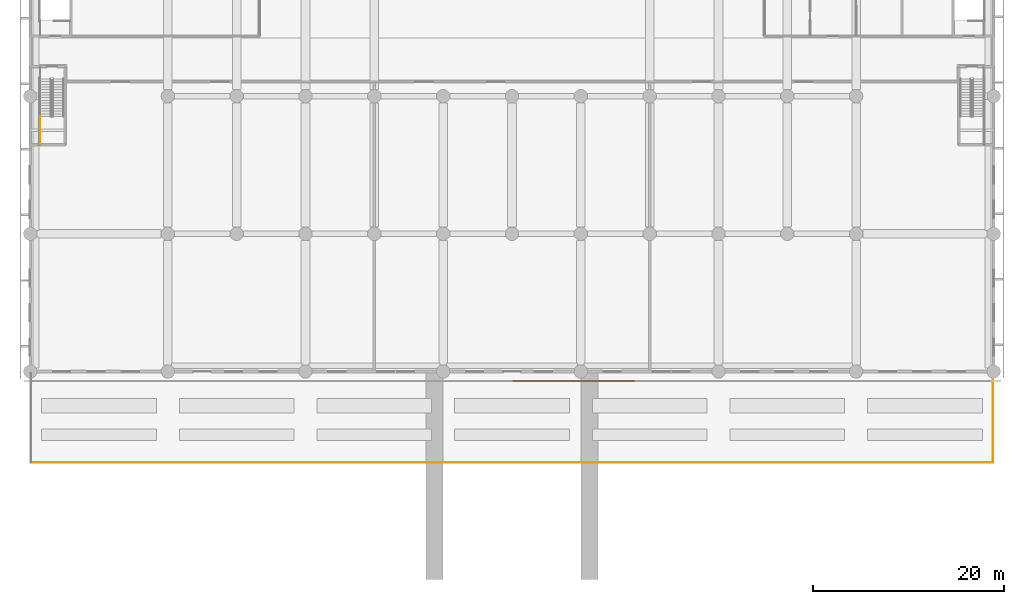
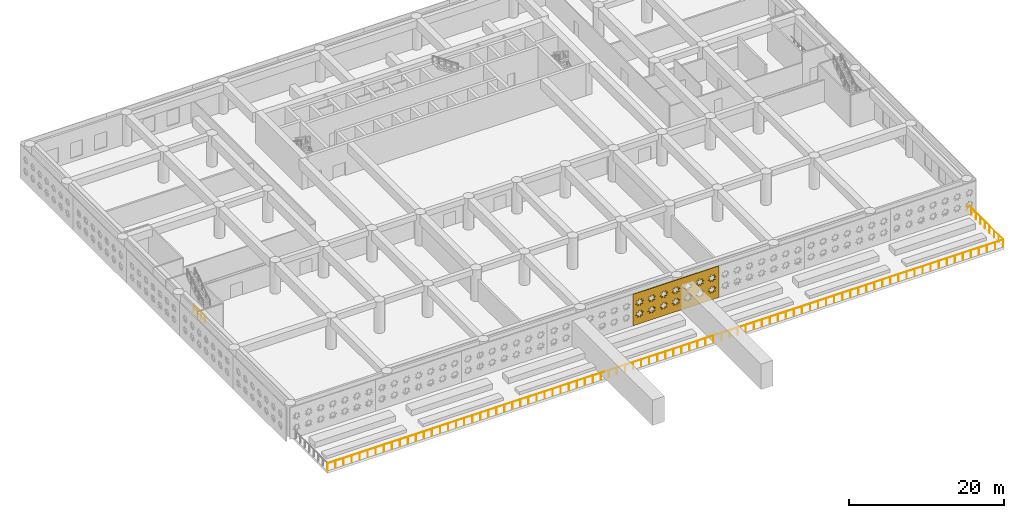
# One storey, part 13 of 24: 2 railings, 1 covering.
"""IFC4 building model written with IfcOpenShell, lengths in metres."""

from ifc_helpers import new_model, si_unit, direction, frame, origin, origin_2d, place, context, subcontext, project, spatial, polyline, circle, outline, extrude, material, layer, layer_set, type_object, element, save


model = new_model("IFC4")

# Units and contexts
model_context = context("Model", 3, precision=1e-05, world=origin(), true_north=direction((0.0, 1.0)))
body_context = subcontext(model_context, "Body", "Model", "MODEL_VIEW")
ifc_project = project(units=[si_unit("LENGTHUNIT", "METRE"), si_unit("AREAUNIT", "SQUARE_METRE"), si_unit("VOLUMEUNIT", "CUBIC_METRE"), si_unit("PLANEANGLEUNIT", "RADIAN"), si_unit("MASSUNIT", "GRAM", prefix="KILO")], contexts=[model_context])

# Site, building, storey
site_placement = place(None, origin())
site = spatial("IfcSite", under=ifc_project, at=site_placement, CompositionType="ELEMENT")
building_placement = place(site_placement, origin())
building = spatial("IfcBuilding", under=site, at=building_placement, Name="Saffron Iwan Residences", CompositionType="ELEMENT")
storey_placement = place(building_placement, frame((0.0, 0.0, 21.60009765625)))
storey = spatial("IfcBuildingStorey", under=building, at=storey_placement, Name="L04", CompositionType="ELEMENT", Elevation=21.60009765625)

# Covering
ifc_material_1 = material(Name="Terracotta screen, precast concrete C40/50", Category="masonry")
ifc_layer = layer(ifc_material_1, 0.1201171875)
ifc_layer_set = layer_set([ifc_layer], Name="Terracotta screen, precast concrete C40/50")
covering_type = type_object("IfcCoveringType", Name="PODIUM SCREEN GIRIH", PredefinedType="CLADDING", material=ifc_layer_set)
covering_placement = place(storey_placement, frame((50.4599609375, 18.25, 0.0), z_axis=(0.0, -1.0, 0.0), x_axis=(1.0, 0.0, 0.0)))
element("IfcCovering", 1, at=covering_placement, inside=storey, type_object=covering_type, Name="SCREEN girih terracotta L04 F0.4", PredefinedType="CLADDING", context=body_context, shape_type="SweptSolid", body=[
    extrude(outline(polyline([(0.0, 0.0), (12.777587890625, 0.0), (12.777587890625, 4.949951171875), (0.0, 4.949951171875), (0.0, 0.0)]), holes=[polyline([(1.5966796875, 1.696044921875), (1.271484375, 1.763916015625), (1.333251953125, 2.090576171875), (1.05517578125, 1.908447265625), (0.867919921875, 2.18310546875), (0.7998046875, 1.857666015625), (0.47314453125, 1.91943359375), (0.6552734375, 1.641357421875), (0.380615234375, 1.4541015625), (0.7060546875, 1.385986328125), (0.644287109375, 1.0595703125), (0.92236328125, 1.241455078125), (1.109619140625, 0.966796875), (1.177490234375, 1.292236328125), (1.50439453125, 1.23046875), (1.322265625, 1.5087890625), (1.5966796875, 1.696044921875)]), polyline([(1.5966796875, 3.49609375), (1.271484375, 3.56396484375), (1.333251953125, 3.890380859375), (1.05517578125, 3.70849609375), (0.867919921875, 3.983154296875), (0.7998046875, 3.65771484375), (0.47314453125, 3.719482421875), (0.6552734375, 3.44140625), (0.380615234375, 3.25390625), (0.7060546875, 3.18603515625), (0.644287109375, 2.859619140625), (0.92236328125, 3.04150390625), (1.109619140625, 2.766845703125), (1.177490234375, 3.09228515625), (1.50439453125, 3.030517578125), (1.322265625, 3.30859375), (1.5966796875, 3.49609375)]), polyline([(3.396728515625, 1.696044921875), (3.0712890625, 1.763916015625), (3.13330078125, 2.090576171875), (2.85498046875, 1.908447265625), (2.667724609375, 2.18310546875), (2.599853515625, 1.857666015625), (2.273193359375, 1.91943359375), (2.455322265625, 1.641357421875), (2.1806640625, 1.4541015625), (2.506103515625, 1.385986328125), (2.4443359375, 1.0595703125), (2.722412109375, 1.241455078125), (2.90966796875, 0.966796875), (2.9775390625, 1.292236328125), (3.30419921875, 1.23046875), (3.122314453125, 1.5087890625), (3.396728515625, 1.696044921875)]), polyline([(3.396728515625, 3.49609375), (3.0712890625, 3.56396484375), (3.13330078125, 3.890380859375), (2.85498046875, 3.70849609375), (2.667724609375, 3.983154296875), (2.599853515625, 3.65771484375), (2.273193359375, 3.719482421875), (2.455322265625, 3.44140625), (2.1806640625, 3.25390625), (2.506103515625, 3.18603515625), (2.4443359375, 2.859619140625), (2.722412109375, 3.04150390625), (2.90966796875, 2.766845703125), (2.9775390625, 3.09228515625), (3.30419921875, 3.030517578125), (3.122314453125, 3.30859375), (3.396728515625, 3.49609375)]), polyline([(5.19677734375, 1.696044921875), (4.871337890625, 1.763916015625), (4.93310546875, 2.090576171875), (4.655029296875, 1.908447265625), (4.4677734375, 2.18310546875), (4.39990234375, 1.857666015625), (4.0732421875, 1.91943359375), (4.25537109375, 1.641357421875), (3.980712890625, 1.4541015625), (4.30615234375, 1.385986328125), (4.244384765625, 1.0595703125), (4.5224609375, 1.241455078125), (4.709716796875, 0.966796875), (4.777587890625, 1.292236328125), (5.104248046875, 1.23046875), (4.922119140625, 1.5087890625), (5.19677734375, 1.696044921875)]), polyline([(5.19677734375, 3.49609375), (4.871337890625, 3.56396484375), (4.93310546875, 3.890380859375), (4.655029296875, 3.70849609375), (4.4677734375, 3.983154296875), (4.39990234375, 3.65771484375), (4.0732421875, 3.719482421875), (4.25537109375, 3.44140625), (3.980712890625, 3.25390625), (4.30615234375, 3.18603515625), (4.244384765625, 2.859619140625), (4.5224609375, 3.04150390625), (4.709716796875, 2.766845703125), (4.777587890625, 3.09228515625), (5.104248046875, 3.030517578125), (4.922119140625, 3.30859375), (5.19677734375, 3.49609375)]), polyline([(6.996826171875, 1.696044921875), (6.67138671875, 1.763916015625), (6.733154296875, 2.090576171875), (6.455078125, 1.908447265625), (6.267822265625, 2.18310546875), (6.199951171875, 1.857666015625), (5.873291015625, 1.91943359375), (6.055419921875, 1.641357421875), (5.78076171875, 1.4541015625), (6.106201171875, 1.385986328125), (6.044189453125, 1.0595703125), (6.322509765625, 1.241455078125), (6.509765625, 0.966796875), (6.57763671875, 1.292236328125), (6.904296875, 1.23046875), (6.72216796875, 1.5087890625), (6.996826171875, 1.696044921875)]), polyline([(6.996826171875, 3.49609375), (6.67138671875, 3.56396484375), (6.733154296875, 3.890380859375), (6.455078125, 3.70849609375), (6.267822265625, 3.983154296875), (6.199951171875, 3.65771484375), (5.873291015625, 3.719482421875), (6.055419921875, 3.44140625), (5.78076171875, 3.25390625), (6.106201171875, 3.18603515625), (6.044189453125, 2.859619140625), (6.322509765625, 3.04150390625), (6.509765625, 2.766845703125), (6.57763671875, 3.09228515625), (6.904296875, 3.030517578125), (6.72216796875, 3.30859375), (6.996826171875, 3.49609375)]), polyline([(8.796875, 1.696044921875), (8.471435546875, 1.763916015625), (8.533203125, 2.090576171875), (8.255126953125, 1.908447265625), (8.06787109375, 2.18310546875), (8.0, 1.857666015625), (7.673095703125, 1.91943359375), (7.855224609375, 1.641357421875), (7.580810546875, 1.4541015625), (7.906005859375, 1.385986328125), (7.84423828125, 1.0595703125), (8.122314453125, 1.241455078125), (8.309814453125, 0.966796875), (8.377685546875, 1.292236328125), (8.704345703125, 1.23046875), (8.522216796875, 1.5087890625), (8.796875, 1.696044921875)]), polyline([(8.796875, 3.49609375), (8.471435546875, 3.56396484375), (8.533203125, 3.890380859375), (8.255126953125, 3.70849609375), (8.06787109375, 3.983154296875), (8.0, 3.65771484375), (7.673095703125, 3.719482421875), (7.855224609375, 3.44140625), (7.580810546875, 3.25390625), (7.906005859375, 3.18603515625), (7.84423828125, 2.859619140625), (8.122314453125, 3.04150390625), (8.309814453125, 2.766845703125), (8.377685546875, 3.09228515625), (8.704345703125, 3.030517578125), (8.522216796875, 3.30859375), (8.796875, 3.49609375)]), polyline([(10.5966796875, 1.696044921875), (10.271484375, 1.763916015625), (10.333251953125, 2.090576171875), (10.05517578125, 1.908447265625), (9.867919921875, 2.18310546875), (9.7998046875, 1.857666015625), (9.47314453125, 1.91943359375), (9.6552734375, 1.641357421875), (9.380615234375, 1.4541015625), (9.7060546875, 1.385986328125), (9.644287109375, 1.0595703125), (9.92236328125, 1.241455078125), (10.109619140625, 0.966796875), (10.177490234375, 1.292236328125), (10.50439453125, 1.23046875), (10.322265625, 1.5087890625), (10.5966796875, 1.696044921875)]), polyline([(10.5966796875, 3.49609375), (10.271484375, 3.56396484375), (10.333251953125, 3.890380859375), (10.05517578125, 3.70849609375), (9.867919921875, 3.983154296875), (9.7998046875, 3.65771484375), (9.47314453125, 3.719482421875), (9.6552734375, 3.44140625), (9.380615234375, 3.25390625), (9.7060546875, 3.18603515625), (9.644287109375, 2.859619140625), (9.92236328125, 3.04150390625), (10.109619140625, 2.766845703125), (10.177490234375, 3.09228515625), (10.50439453125, 3.030517578125), (10.322265625, 3.30859375), (10.5966796875, 3.49609375)]), polyline([(12.396728515625, 1.696044921875), (12.0712890625, 1.763916015625), (12.13330078125, 2.090576171875), (11.85498046875, 1.908447265625), (11.667724609375, 2.18310546875), (11.599853515625, 1.857666015625), (11.273193359375, 1.91943359375), (11.455322265625, 1.641357421875), (11.1806640625, 1.4541015625), (11.506103515625, 1.385986328125), (11.4443359375, 1.0595703125), (11.722412109375, 1.241455078125), (11.90966796875, 0.966796875), (11.9775390625, 1.292236328125), (12.30419921875, 1.23046875), (12.122314453125, 1.5087890625), (12.396728515625, 1.696044921875)]), polyline([(12.396728515625, 3.49609375), (12.0712890625, 3.56396484375), (12.13330078125, 3.890380859375), (11.85498046875, 3.70849609375), (11.667724609375, 3.983154296875), (11.599853515625, 3.65771484375), (11.273193359375, 3.719482421875), (11.455322265625, 3.44140625), (11.1806640625, 3.25390625), (11.506103515625, 3.18603515625), (11.4443359375, 2.859619140625), (11.722412109375, 3.04150390625), (11.90966796875, 2.766845703125), (11.9775390625, 3.09228515625), (12.30419921875, 3.030517578125), (12.122314453125, 3.30859375), (12.396728515625, 3.49609375)])]), origin(), (0.0, 0.0, 1.0), 0.1201171875),
])

# Railings
ifc_material_2 = material(Name="Steel S355", Category="steel")
railing_type_1 = type_object("IfcRailingType", Name="Podium stair guard 1150", PredefinedType="GUARDRAIL", material=ifc_material_2)
railing_1_placement = place(storey_placement, frame((1.050048828125, 45.8798828125, 2.699951171875)))
element("IfcRailing", 2, at=railing_1_placement, inside=storey, type_object=railing_type_1, Name="L04 PS1 stair guard 3", PredefinedType="GUARDRAIL", context=body_context, shape_type="SweptSolid", body=[
    extrude(circle(Radius=0.02392578125, at=origin_2d()), frame((0.0, 0.0, 1.1259765625), z_axis=(0.0, -1.0, 0.0), x_axis=(1.0, 0.0, 0.0)), (0.0, 0.0, 1.0), 2.8798828125),
    extrude(circle(Radius=0.02099609375, at=origin_2d()), origin(), (0.0, 0.0, 1.0), 1.101806640625),
    extrude(circle(Radius=0.02099609375, at=origin_2d()), frame((0.0, -0.9599609375, 0.0)), (0.0, 0.0, 1.0), 1.101806640625),
    extrude(circle(Radius=0.02099609375, at=origin_2d()), frame((0.0, -1.919921875, 0.0)), (0.0, 0.0, 1.0), 1.101806640625),
    extrude(circle(Radius=0.02099609375, at=origin_2d()), frame((0.0, -2.8798828125, 0.0)), (0.0, 0.0, 1.0), 1.101806640625),
])
ifc_material_3 = material(Name="Stainless steel 316", Category="steel")
railing_type_2 = type_object("IfcRailingType", Name="TERRACE GUARD 1150", PredefinedType="BALUSTRADE", material=ifc_material_3)
railing_2_placement = place(storey_placement, frame((100.72509765625, 19.0, 0.0)))
element("IfcRailing", 3, at=railing_2_placement, inside=storey, type_object=railing_type_2, Name="Terrace guard L04 2", PredefinedType="BALUSTRADE", context=body_context, shape_type="SweptSolid", body=[
    extrude(circle(Radius=0.02392578125, at=origin_2d()), frame((0.0, 0.0, 1.1259765625), z_axis=(0.0, -1.0, 0.0), x_axis=(1.0, 0.0, 0.0)), (0.0, 0.0, 1.0), 9.324951171875),
    extrude(circle(Radius=0.02392578125, at=origin_2d()), frame((0.0, -9.324951171875, 1.1259765625), z_axis=(-1.0, 0.0, 0.0), x_axis=(0.0, -1.0, 0.0)), (0.0, 0.0, 1.0), 100.650146484375),
    extrude(circle(Radius=0.02099609375, at=origin_2d()), origin(), (0.0, 0.0, 1.0), 1.101806640625),
    extrude(circle(Radius=0.02099609375, at=origin_2d()), frame((0.0, -1.16552734375, 0.0)), (0.0, 0.0, 1.0), 1.101806640625),
    extrude(circle(Radius=0.02099609375, at=origin_2d()), frame((0.0, -2.331298828125, 0.0)), (0.0, 0.0, 1.0), 1.101806640625),
    extrude(circle(Radius=0.02099609375, at=origin_2d()), frame((0.0, -3.496826171875, 0.0)), (0.0, 0.0, 1.0), 1.101806640625),
    extrude(circle(Radius=0.02099609375, at=origin_2d()), frame((0.0, -4.66259765625, 0.0)), (0.0, 0.0, 1.0), 1.101806640625),
    extrude(circle(Radius=0.02099609375, at=origin_2d()), frame((0.0, -5.828125, 0.0)), (0.0, 0.0, 1.0), 1.101806640625),
    extrude(circle(Radius=0.02099609375, at=origin_2d()), frame((0.0, -6.99365234375, 0.0)), (0.0, 0.0, 1.0), 1.101806640625),
    extrude(circle(Radius=0.02099609375, at=origin_2d()), frame((0.0, -8.159423828125, 0.0)), (0.0, 0.0, 1.0), 1.101806640625),
    extrude(circle(Radius=0.02099609375, at=origin_2d()), frame((0.0, -9.324951171875, 0.0)), (0.0, 0.0, 1.0), 1.101806640625),
    extrude(circle(Radius=0.02099609375, at=origin_2d()), frame((-1.1982421875, -9.324951171875, 0.0)), (0.0, 0.0, 1.0), 1.101806640625),
    extrude(circle(Radius=0.02099609375, at=origin_2d()), frame((-2.396484375, -9.324951171875, 0.0)), (0.0, 0.0, 1.0), 1.101806640625),
    extrude(circle(Radius=0.02099609375, at=origin_2d()), frame((-3.5947265625, -9.324951171875, 0.0)), (0.0, 0.0, 1.0), 1.101806640625),
    extrude(circle(Radius=0.02099609375, at=origin_2d()), frame((-4.79296875, -9.324951171875, 0.0)), (0.0, 0.0, 1.0), 1.101806640625),
    extrude(circle(Radius=0.02099609375, at=origin_2d()), frame((-5.990966796875, -9.324951171875, 0.0)), (0.0, 0.0, 1.0), 1.101806640625),
    extrude(circle(Radius=0.02099609375, at=origin_2d()), frame((-7.189208984375, -9.324951171875, 0.0)), (0.0, 0.0, 1.0), 1.101806640625),
    extrude(circle(Radius=0.02099609375, at=origin_2d()), frame((-8.387451171875, -9.324951171875, 0.0)), (0.0, 0.0, 1.0), 1.101806640625),
    extrude(circle(Radius=0.02099609375, at=origin_2d()), frame((-9.585693359375, -9.324951171875, 0.0)), (0.0, 0.0, 1.0), 1.101806640625),
    extrude(circle(Radius=0.02099609375, at=origin_2d()), frame((-10.783935546875, -9.324951171875, 0.0)), (0.0, 0.0, 1.0), 1.101806640625),
    extrude(circle(Radius=0.02099609375, at=origin_2d()), frame((-11.982177734375, -9.324951171875, 0.0)), (0.0, 0.0, 1.0), 1.101806640625),
    extrude(circle(Radius=0.02099609375, at=origin_2d()), frame((-13.180419921875, -9.324951171875, 0.0)), (0.0, 0.0, 1.0), 1.101806640625),
    extrude(circle(Radius=0.02099609375, at=origin_2d()), frame((-14.378662109375, -9.324951171875, 0.0)), (0.0, 0.0, 1.0), 1.101806640625),
    extrude(circle(Radius=0.02099609375, at=origin_2d()), frame((-15.576904296875, -9.324951171875, 0.0)), (0.0, 0.0, 1.0), 1.101806640625),
    extrude(circle(Radius=0.02099609375, at=origin_2d()), frame((-16.77490234375, -9.324951171875, 0.0)), (0.0, 0.0, 1.0), 1.101806640625),
    extrude(circle(Radius=0.02099609375, at=origin_2d()), frame((-17.97314453125, -9.324951171875, 0.0)), (0.0, 0.0, 1.0), 1.101806640625),
    extrude(circle(Radius=0.02099609375, at=origin_2d()), frame((-19.17138671875, -9.324951171875, 0.0)), (0.0, 0.0, 1.0), 1.101806640625),
    extrude(circle(Radius=0.02099609375, at=origin_2d()), frame((-20.36962890625, -9.324951171875, 0.0)), (0.0, 0.0, 1.0), 1.101806640625),
    extrude(circle(Radius=0.02099609375, at=origin_2d()), frame((-21.56787109375, -9.324951171875, 0.0)), (0.0, 0.0, 1.0), 1.101806640625),
    extrude(circle(Radius=0.02099609375, at=origin_2d()), frame((-22.76611328125, -9.324951171875, 0.0)), (0.0, 0.0, 1.0), 1.101806640625),
    extrude(circle(Radius=0.02099609375, at=origin_2d()), frame((-23.96435546875, -9.324951171875, 0.0)), (0.0, 0.0, 1.0), 1.101806640625),
    extrude(circle(Radius=0.02099609375, at=origin_2d()), frame((-25.16259765625, -9.324951171875, 0.0)), (0.0, 0.0, 1.0), 1.101806640625),
    extrude(circle(Radius=0.02099609375, at=origin_2d()), frame((-26.36083984375, -9.324951171875, 0.0)), (0.0, 0.0, 1.0), 1.101806640625),
    extrude(circle(Radius=0.02099609375, at=origin_2d()), frame((-27.55908203125, -9.324951171875, 0.0)), (0.0, 0.0, 1.0), 1.101806640625),
    extrude(circle(Radius=0.02099609375, at=origin_2d()), frame((-28.757080078125, -9.324951171875, 0.0)), (0.0, 0.0, 1.0), 1.101806640625),
    extrude(circle(Radius=0.02099609375, at=origin_2d()), frame((-29.955322265625, -9.324951171875, 0.0)), (0.0, 0.0, 1.0), 1.101806640625),
    extrude(circle(Radius=0.02099609375, at=origin_2d()), frame((-31.153564453125, -9.324951171875, 0.0)), (0.0, 0.0, 1.0), 1.101806640625),
    extrude(circle(Radius=0.02099609375, at=origin_2d()), frame((-32.351806640625, -9.324951171875, 0.0)), (0.0, 0.0, 1.0), 1.101806640625),
    extrude(circle(Radius=0.02099609375, at=origin_2d()), frame((-33.550048828125, -9.324951171875, 0.0)), (0.0, 0.0, 1.0), 1.101806640625),
    extrude(circle(Radius=0.02099609375, at=origin_2d()), frame((-34.748291015625, -9.324951171875, 0.0)), (0.0, 0.0, 1.0), 1.101806640625),
    extrude(circle(Radius=0.02099609375, at=origin_2d()), frame((-35.946533203125, -9.324951171875, 0.0)), (0.0, 0.0, 1.0), 1.101806640625),
    extrude(circle(Radius=0.02099609375, at=origin_2d()), frame((-37.144775390625, -9.324951171875, 0.0)), (0.0, 0.0, 1.0), 1.101806640625),
    extrude(circle(Radius=0.02099609375, at=origin_2d()), frame((-38.343017578125, -9.324951171875, 0.0)), (0.0, 0.0, 1.0), 1.101806640625),
    extrude(circle(Radius=0.02099609375, at=origin_2d()), frame((-39.541015625, -9.324951171875, 0.0)), (0.0, 0.0, 1.0), 1.101806640625),
    extrude(circle(Radius=0.02099609375, at=origin_2d()), frame((-40.7392578125, -9.324951171875, 0.0)), (0.0, 0.0, 1.0), 1.101806640625),
    extrude(circle(Radius=0.02099609375, at=origin_2d()), frame((-41.9375, -9.324951171875, 0.0)), (0.0, 0.0, 1.0), 1.101806640625),
    extrude(circle(Radius=0.02099609375, at=origin_2d()), frame((-43.1357421875, -9.324951171875, 0.0)), (0.0, 0.0, 1.0), 1.101806640625),
    extrude(circle(Radius=0.02099609375, at=origin_2d()), frame((-44.333984375, -9.324951171875, 0.0)), (0.0, 0.0, 1.0), 1.101806640625),
    extrude(circle(Radius=0.02099609375, at=origin_2d()), frame((-45.5322265625, -9.324951171875, 0.0)), (0.0, 0.0, 1.0), 1.101806640625),
    extrude(circle(Radius=0.02099609375, at=origin_2d()), frame((-46.73046875, -9.324951171875, 0.0)), (0.0, 0.0, 1.0), 1.101806640625),
    extrude(circle(Radius=0.02099609375, at=origin_2d()), frame((-47.9287109375, -9.324951171875, 0.0)), (0.0, 0.0, 1.0), 1.101806640625),
    extrude(circle(Radius=0.02099609375, at=origin_2d()), frame((-49.126953125, -9.324951171875, 0.0)), (0.0, 0.0, 1.0), 1.101806640625),
    extrude(circle(Radius=0.02099609375, at=origin_2d()), frame((-50.3251953125, -9.324951171875, 0.0)), (0.0, 0.0, 1.0), 1.101806640625),
    extrude(circle(Radius=0.02099609375, at=origin_2d()), frame((-51.523193359375, -9.324951171875, 0.0)), (0.0, 0.0, 1.0), 1.101806640625),
    extrude(circle(Radius=0.02099609375, at=origin_2d()), frame((-52.721435546875, -9.324951171875, 0.0)), (0.0, 0.0, 1.0), 1.101806640625),
    extrude(circle(Radius=0.02099609375, at=origin_2d()), frame((-53.919677734375, -9.324951171875, 0.0)), (0.0, 0.0, 1.0), 1.101806640625),
    extrude(circle(Radius=0.02099609375, at=origin_2d()), frame((-55.117919921875, -9.324951171875, 0.0)), (0.0, 0.0, 1.0), 1.101806640625),
    extrude(circle(Radius=0.02099609375, at=origin_2d()), frame((-56.316162109375, -9.324951171875, 0.0)), (0.0, 0.0, 1.0), 1.101806640625),
    extrude(circle(Radius=0.02099609375, at=origin_2d()), frame((-57.514404296875, -9.324951171875, 0.0)), (0.0, 0.0, 1.0), 1.101806640625),
    extrude(circle(Radius=0.02099609375, at=origin_2d()), frame((-58.712646484375, -9.324951171875, 0.0)), (0.0, 0.0, 1.0), 1.101806640625),
    extrude(circle(Radius=0.02099609375, at=origin_2d()), frame((-59.910888671875, -9.324951171875, 0.0)), (0.0, 0.0, 1.0), 1.101806640625),
    extrude(circle(Radius=0.02099609375, at=origin_2d()), frame((-61.109130859375, -9.324951171875, 0.0)), (0.0, 0.0, 1.0), 1.101806640625),
    extrude(circle(Radius=0.02099609375, at=origin_2d()), frame((-62.30712890625, -9.324951171875, 0.0)), (0.0, 0.0, 1.0), 1.101806640625),
    extrude(circle(Radius=0.02099609375, at=origin_2d()), frame((-63.50537109375, -9.324951171875, 0.0)), (0.0, 0.0, 1.0), 1.101806640625),
    extrude(circle(Radius=0.02099609375, at=origin_2d()), frame((-64.70361328125, -9.324951171875, 0.0)), (0.0, 0.0, 1.0), 1.101806640625),
    extrude(circle(Radius=0.02099609375, at=origin_2d()), frame((-65.90185546875, -9.324951171875, 0.0)), (0.0, 0.0, 1.0), 1.101806640625),
    extrude(circle(Radius=0.02099609375, at=origin_2d()), frame((-67.10009765625, -9.324951171875, 0.0)), (0.0, 0.0, 1.0), 1.101806640625),
    extrude(circle(Radius=0.02099609375, at=origin_2d()), frame((-68.29833984375, -9.324951171875, 0.0)), (0.0, 0.0, 1.0), 1.101806640625),
    extrude(circle(Radius=0.02099609375, at=origin_2d()), frame((-69.49658203125, -9.324951171875, 0.0)), (0.0, 0.0, 1.0), 1.101806640625),
    extrude(circle(Radius=0.02099609375, at=origin_2d()), frame((-70.69482421875, -9.324951171875, 0.0)), (0.0, 0.0, 1.0), 1.101806640625),
    extrude(circle(Radius=0.02099609375, at=origin_2d()), frame((-71.89306640625, -9.324951171875, 0.0)), (0.0, 0.0, 1.0), 1.101806640625),
    extrude(circle(Radius=0.02099609375, at=origin_2d()), frame((-73.091064453125, -9.324951171875, 0.0)), (0.0, 0.0, 1.0), 1.101806640625),
    extrude(circle(Radius=0.02099609375, at=origin_2d()), frame((-74.289306640625, -9.324951171875, 0.0)), (0.0, 0.0, 1.0), 1.101806640625),
    extrude(circle(Radius=0.02099609375, at=origin_2d()), frame((-75.487548828125, -9.324951171875, 0.0)), (0.0, 0.0, 1.0), 1.101806640625),
    extrude(circle(Radius=0.02099609375, at=origin_2d()), frame((-76.685791015625, -9.324951171875, 0.0)), (0.0, 0.0, 1.0), 1.101806640625),
    extrude(circle(Radius=0.02099609375, at=origin_2d()), frame((-77.884033203125, -9.324951171875, 0.0)), (0.0, 0.0, 1.0), 1.101806640625),
    extrude(circle(Radius=0.02099609375, at=origin_2d()), frame((-79.082275390625, -9.324951171875, 0.0)), (0.0, 0.0, 1.0), 1.101806640625),
    extrude(circle(Radius=0.02099609375, at=origin_2d()), frame((-80.280517578125, -9.324951171875, 0.0)), (0.0, 0.0, 1.0), 1.101806640625),
    extrude(circle(Radius=0.02099609375, at=origin_2d()), frame((-81.478759765625, -9.324951171875, 0.0)), (0.0, 0.0, 1.0), 1.101806640625),
    extrude(circle(Radius=0.02099609375, at=origin_2d()), frame((-82.677001953125, -9.324951171875, 0.0)), (0.0, 0.0, 1.0), 1.101806640625),
    extrude(circle(Radius=0.02099609375, at=origin_2d()), frame((-83.875, -9.324951171875, 0.0)), (0.0, 0.0, 1.0), 1.101806640625),
    extrude(circle(Radius=0.02099609375, at=origin_2d()), frame((-85.0732421875, -9.324951171875, 0.0)), (0.0, 0.0, 1.0), 1.101806640625),
    extrude(circle(Radius=0.02099609375, at=origin_2d()), frame((-86.271484375, -9.324951171875, 0.0)), (0.0, 0.0, 1.0), 1.101806640625),
    extrude(circle(Radius=0.02099609375, at=origin_2d()), frame((-87.4697265625, -9.324951171875, 0.0)), (0.0, 0.0, 1.0), 1.101806640625),
    extrude(circle(Radius=0.02099609375, at=origin_2d()), frame((-88.66796875, -9.324951171875, 0.0)), (0.0, 0.0, 1.0), 1.101806640625),
    extrude(circle(Radius=0.02099609375, at=origin_2d()), frame((-89.8662109375, -9.324951171875, 0.0)), (0.0, 0.0, 1.0), 1.101806640625),
    extrude(circle(Radius=0.02099609375, at=origin_2d()), frame((-91.064453125, -9.324951171875, 0.0)), (0.0, 0.0, 1.0), 1.101806640625),
    extrude(circle(Radius=0.02099609375, at=origin_2d()), frame((-92.2626953125, -9.324951171875, 0.0)), (0.0, 0.0, 1.0), 1.101806640625),
    extrude(circle(Radius=0.02099609375, at=origin_2d()), frame((-93.4609375, -9.324951171875, 0.0)), (0.0, 0.0, 1.0), 1.101806640625),
    extrude(circle(Radius=0.02099609375, at=origin_2d()), frame((-94.6591796875, -9.324951171875, 0.0)), (0.0, 0.0, 1.0), 1.101806640625),
    extrude(circle(Radius=0.02099609375, at=origin_2d()), frame((-95.857177734375, -9.324951171875, 0.0)), (0.0, 0.0, 1.0), 1.101806640625),
    extrude(circle(Radius=0.02099609375, at=origin_2d()), frame((-97.055419921875, -9.324951171875, 0.0)), (0.0, 0.0, 1.0), 1.101806640625),
    extrude(circle(Radius=0.02099609375, at=origin_2d()), frame((-98.253662109375, -9.324951171875, 0.0)), (0.0, 0.0, 1.0), 1.101806640625),
    extrude(circle(Radius=0.02099609375, at=origin_2d()), frame((-99.451904296875, -9.324951171875, 0.0)), (0.0, 0.0, 1.0), 1.101806640625),
    extrude(circle(Radius=0.02099609375, at=origin_2d()), frame((-100.650146484375, -9.324951171875, 0.0)), (0.0, 0.0, 1.0), 1.101806640625),
])

save(model, "model.ifc")
